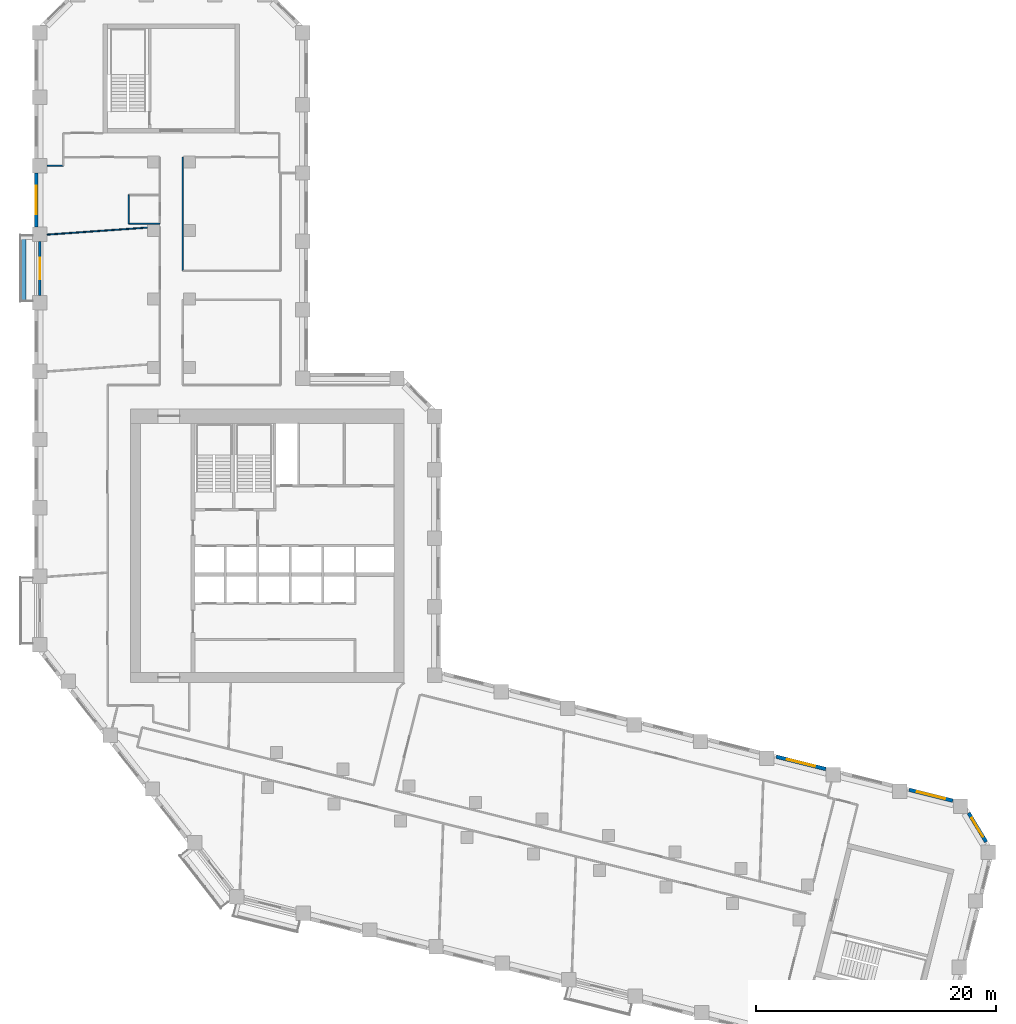
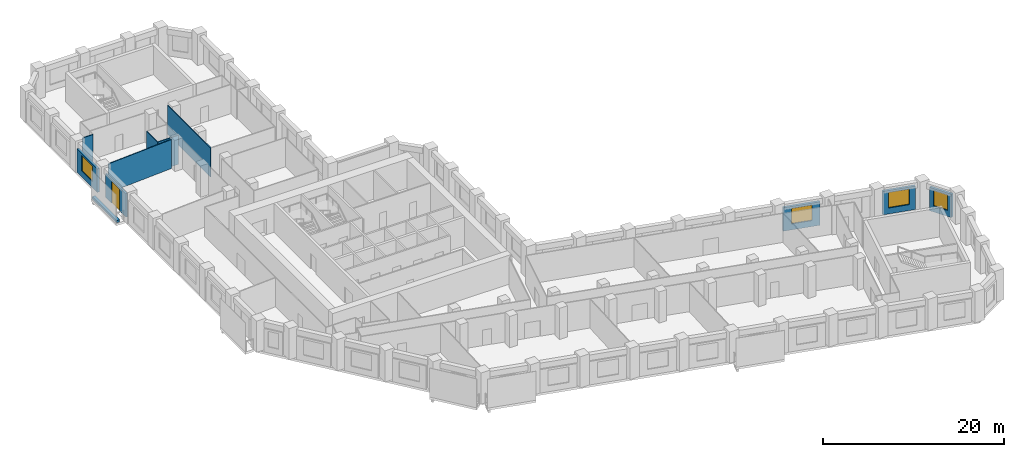
# One storey, part 7 of 10: 11 walls, 4 windows, 1 door, 5 openings.
"""IFC4 building model written with IfcOpenShell, lengths in metres."""

from ifc_helpers import new_model, si_unit, direction, frame, frame_2d, origin, place, context, subcontext, project, spatial, rectangle, extrude, material, layer, layer_set, type_object, element, fill, save


model = new_model("IFC4")

# Units and contexts
model_context = context("Model", 3, precision=1e-05, world=origin(), true_north=direction((0.0, 1.0)))
body_context = subcontext(model_context, "Body", "Model", "MODEL_VIEW")
ifc_project = project(units=[si_unit("LENGTHUNIT", "METRE"), si_unit("AREAUNIT", "SQUARE_METRE"), si_unit("VOLUMEUNIT", "CUBIC_METRE"), si_unit("PLANEANGLEUNIT", "RADIAN"), si_unit("MASSUNIT", "GRAM", prefix="KILO")], contexts=[model_context])

# Site, building, storey
site_placement = place(None, origin())
site = spatial("IfcSite", under=ifc_project, at=site_placement, CompositionType="ELEMENT")
building_placement = place(site_placement, origin())
building = spatial("IfcBuilding", under=site, at=building_placement, Name="Meshkara Civic Tower", CompositionType="ELEMENT")
storey_placement = place(building_placement, frame((0.0, 0.0, 165.60009765625)))
storey = spatial("IfcBuildingStorey", under=building, at=storey_placement, Name="L37", CompositionType="ELEMENT", Elevation=165.60009765625)

# Wall
ifc_material_1 = material(Name="Corridor wall 100")
ifc_layer_1 = layer(ifc_material_1, 0.10009765625)
ifc_layer_set_1 = layer_set([ifc_layer_1], Name="Corridor wall 100")
wall_type_1 = type_object("IfcWallType", Name="Corridor wall 100", PredefinedType="PARTITIONING", material=ifc_layer_set_1)
wall_1_placement = place(storey_placement, frame((12.35009765625, 48.39990234375, 0.0), z_axis=(0.0, 0.0, 1.0), x_axis=(0.0, 1.0, 0.0)))
element("IfcWall", 1, at=wall_1_placement, inside=storey, type_object=wall_type_1, Name="L37-W015", PredefinedType="PARTITIONING", context=body_context, shape_type="SweptSolid", body=[
    extrude(rectangle(XDim=9.47021484375, YDim=0.10009765625, at=frame_2d((4.735107421875, 0.0))), origin(), (0.0, 0.0, 1.0), 3.89990234375),
])

# Wall, opening, window
ifc_material_2 = material(Name="Insulated infill panel with bronze anodised aluminium cladding", Category="aluminium")
ifc_layer_2 = layer(ifc_material_2, 0.300048828125)
ifc_layer_set_2 = layer_set([ifc_layer_2], Name="EXTERNAL INFILL WALL 300")
wall_type_2 = type_object("IfcWallType", Name="EXTERNAL INFILL WALL 300", PredefinedType="SOLIDWALL", material=ifc_layer_set_2)
wall_2_placement = place(storey_placement, frame((76.491943359375, 4.27197265625, 0.0), z_axis=(0.0, 0.0, 1.0), x_axis=(-0.970348377394, 0.241710625521, 0.0)))
wall_2 = element("IfcWall", 2, at=wall_2_placement, inside=storey, type_object=wall_type_2, Name="External wall", PredefinedType="SOLIDWALL", context=body_context, shape_type="SweptSolid", body=[
    extrude(rectangle(XDim=3.760498046875, YDim=0.300048828125, at=frame_2d((1.88037109375, 0.0))), origin(), (0.0, 0.0, 1.0), 3.14990234375),
])
opening_1_placement = place(wall_2_placement, frame((0.679931640625, 0.0, 0.800048828125)))
opening_1 = element("IfcOpeningElement", 3, at=opening_1_placement, cuts=wall_2, Name="Opening W7", PredefinedType="OPENING", context=body_context, shape_type="SweptSolid", body=[
    extrude(rectangle(XDim=2.39990234375, YDim=2.10009765625, at=frame_2d((1.199951171875, 1.050048828125))), frame((0.0, 0.159912109375, 0.0), z_axis=(0.0, -1.0, 0.0), x_axis=(1.0, 0.0, 0.0)), (0.0, 0.0, 1.0), 0.320068359375),
])
ifc_material_3 = material(Name="Tinted double glazing", Category="glass")
window_type_1 = type_object("IfcWindowType", Name="WINDOW 2400x2100", PartitioningType="DOUBLE_PANEL_VERTICAL", PredefinedType="WINDOW", material=ifc_material_3)
window_1_placement = place(opening_1_placement, origin())
window_1 = element("IfcWindow", 4, at=window_1_placement, inside=storey, type_object=window_type_1, Name="Window", OverallHeight=2.10009765625, OverallWidth=2.39990234375, PartitioningType="DOUBLE_PANEL_VERTICAL", PredefinedType="WINDOW", context=body_context, shape_type="SweptSolid", body=[
    extrude(rectangle(XDim=2.39990234375, YDim=2.10009765625, at=frame_2d((1.199951171875, 1.050048828125))), frame((0.0, 0.030029296875, 0.0), z_axis=(0.0, -1.0, 0.0), x_axis=(1.0, 0.0, 0.0)), (0.0, 0.0, 1.0), 0.06005859375),
])
fill(opening_1, window_1)

wall_3_placement = place(storey_placement, frame((65.90087890625, 6.912109375, 0.0), z_axis=(0.0, 0.0, 1.0), x_axis=(-0.970260760633, 0.242062091986, 0.0)))
wall_3 = element("IfcWall", 5, at=wall_3_placement, inside=storey, type_object=wall_type_2, Name="External wall", PredefinedType="SOLIDWALL", context=body_context, shape_type="SweptSolid", body=[
    extrude(rectangle(XDim=4.24609375, YDim=0.300048828125, at=frame_2d((2.123046875, 0.0))), origin(), (0.0, 0.0, 1.0), 3.14990234375),
])
opening_2_placement = place(wall_3_placement, frame((0.923095703125, 0.0, 0.800048828125)))
opening_2 = element("IfcOpeningElement", 6, at=opening_2_placement, cuts=wall_3, Name="Opening W7", PredefinedType="OPENING", context=body_context, shape_type="SweptSolid", body=[
    extrude(rectangle(XDim=2.39990234375, YDim=2.10009765625, at=frame_2d((1.199951171875, 1.050048828125))), frame((0.0, 0.159912109375, 0.0), z_axis=(0.0, -1.0, 0.0), x_axis=(1.0, 0.0, 0.0)), (0.0, 0.0, 1.0), 0.320068359375),
])
window_2_placement = place(opening_2_placement, origin())
window_2 = element("IfcWindow", 7, at=window_2_placement, inside=storey, type_object=window_type_1, Name="Window", OverallHeight=2.10009765625, OverallWidth=2.39990234375, PartitioningType="DOUBLE_PANEL_VERTICAL", PredefinedType="WINDOW", context=body_context, shape_type="SweptSolid", body=[
    extrude(rectangle(XDim=2.39990234375, YDim=2.10009765625, at=frame_2d((1.199951171875, 1.050048828125))), frame((0.0, 0.030029296875, 0.0), z_axis=(0.0, -1.0, 0.0), x_axis=(1.0, 0.0, 0.0)), (0.0, 0.0, 1.0), 0.06005859375),
])
fill(opening_2, window_2)

wall_4_placement = place(storey_placement, frame((0.14990234375, 56.554931640625, 0.0), z_axis=(0.0, 0.0, 1.0), x_axis=(0.0, -1.0, 0.0)))
wall_4 = element("IfcWall", 8, at=wall_4_placement, inside=storey, type_object=wall_type_2, Name="External wall", PredefinedType="SOLIDWALL", context=body_context, shape_type="SweptSolid", body=[
    extrude(rectangle(XDim=4.5, YDim=0.300048828125, at=frame_2d((2.25, 0.0))), origin(), (0.0, 0.0, 1.0), 3.14990234375),
])
opening_3_placement = place(wall_4_placement, frame((1.050048828125, 0.0, 0.800048828125)))
opening_3 = element("IfcOpeningElement", 9, at=opening_3_placement, cuts=wall_4, Name="Opening W7", PredefinedType="OPENING", context=body_context, shape_type="SweptSolid", body=[
    extrude(rectangle(XDim=2.39990234375, YDim=2.10009765625, at=frame_2d((1.199951171875, 1.050048828125))), frame((0.0, 0.159912109375, 0.0), z_axis=(0.0, -1.0, 0.0), x_axis=(1.0, 0.0, 0.0)), (0.0, 0.0, 1.0), 0.320068359375),
])
window_3_placement = place(opening_3_placement, origin())
window_3 = element("IfcWindow", 10, at=window_3_placement, inside=storey, type_object=window_type_1, Name="Window", OverallHeight=2.10009765625, OverallWidth=2.39990234375, PartitioningType="DOUBLE_PANEL_VERTICAL", PredefinedType="WINDOW", context=body_context, shape_type="SweptSolid", body=[
    extrude(rectangle(XDim=2.39990234375, YDim=2.10009765625, at=frame_2d((1.199951171875, 1.050048828125))), frame((0.0, 0.030029296875, 0.0), z_axis=(0.0, -1.0, 0.0), x_axis=(1.0, 0.0, 0.0)), (0.0, 0.0, 1.0), 0.06005859375),
])
fill(opening_3, window_3)

wall_5_placement = place(storey_placement, frame((79.257080078125, 0.839111328125, 0.0), z_axis=(0.0, 0.0, 1.0), x_axis=(-0.514992914014, 0.857194434487, 0.0)))
wall_5 = element("IfcWall", 11, at=wall_5_placement, inside=storey, type_object=wall_type_2, Name="External wall", PredefinedType="SOLIDWALL", context=body_context, shape_type="SweptSolid", body=[
    extrude(rectangle(XDim=2.81591796875, YDim=0.300048828125, at=frame_2d((1.407958984375, 0.0))), origin(), (0.0, 0.0, 1.0), 3.14990234375),
])
opening_4_placement = place(wall_5_placement, frame((0.508056640625, 0.0, 0.800048828125)))
opening_4 = element("IfcOpeningElement", 12, at=opening_4_placement, cuts=wall_5, Name="Opening W9", PredefinedType="OPENING", context=body_context, shape_type="SweptSolid", body=[
    extrude(rectangle(XDim=1.800048828125, YDim=2.10009765625, at=frame_2d((0.89990234375, 1.050048828125))), frame((0.0, 0.159912109375, 0.0), z_axis=(0.0, -1.0, 0.0), x_axis=(1.0, 0.0, 0.0)), (0.0, 0.0, 1.0), 0.320068359375),
])
ifc_material_4 = material(Name="Tinted double glazing", Category="glass")
window_type_2 = type_object("IfcWindowType", Name="WINDOW 1800x2100", PartitioningType="DOUBLE_PANEL_VERTICAL", PredefinedType="WINDOW", material=ifc_material_4)
window_4_placement = place(opening_4_placement, origin())
window_4 = element("IfcWindow", 13, at=window_4_placement, inside=storey, type_object=window_type_2, Name="Window", OverallHeight=2.10009765625, OverallWidth=1.800048828125, PartitioningType="DOUBLE_PANEL_VERTICAL", PredefinedType="WINDOW", context=body_context, shape_type="SweptSolid", body=[
    extrude(rectangle(XDim=1.800048828125, YDim=2.10009765625, at=frame_2d((0.89990234375, 1.050048828125))), frame((0.0, 0.030029296875, 0.0), z_axis=(0.0, -1.0, 0.0), x_axis=(1.0, 0.0, 0.0)), (0.0, 0.0, 1.0), 0.06005859375),
])
fill(opening_4, window_4)

# Wall, opening, door
ifc_material_5 = material(Name="Insulated infill panel with bronze anodised aluminium cladding", Category="aluminium")
ifc_layer_3 = layer(ifc_material_5, 0.199951171875)
ifc_layer_set_3 = layer_set([ifc_layer_3], Name="LOGGIA BACK WALL 200")
wall_type_3 = type_object("IfcWallType", Name="LOGGIA BACK WALL 200", PredefinedType="SOLIDWALL", material=ifc_layer_set_3)
wall_6_placement = place(storey_placement, frame((0.449951171875, 50.85498046875, 0.0), z_axis=(0.0, 0.0, 1.0), x_axis=(0.0, -1.0, 0.0)))
wall_6 = element("IfcWall", 14, at=wall_6_placement, inside=storey, type_object=wall_type_3, Name="Loggia wall", PredefinedType="SOLIDWALL", context=body_context, shape_type="SweptSolid", body=[
    extrude(rectangle(XDim=4.4990234375, YDim=0.199951171875, at=frame_2d((2.24951171875, 0.0))), origin(), (0.0, 0.0, 1.0), 3.14990234375),
])
opening_5_placement = place(wall_6_placement, frame((1.34912109375, 0.0, 0.0)))
opening_5 = element("IfcOpeningElement", 15, at=opening_5_placement, cuts=wall_6, Name="Opening L37-L001", PredefinedType="OPENING", context=body_context, shape_type="SweptSolid", body=[
    extrude(rectangle(XDim=1.800048828125, YDim=2.89990234375, at=frame_2d((0.89990234375, 1.449951171875))), frame((0.0, 0.10986328125, 0.0), z_axis=(0.0, -1.0, 0.0), x_axis=(1.0, 0.0, 0.0)), (0.0, 0.0, 1.0), 0.219970703125),
])
ifc_material_6 = material(Name="Tinted double glazing", Category="glass")
door_type = type_object("IfcDoorType", Name="LOGGIA DOOR 1800x2900", OperationType="DOUBLE_DOOR_SINGLE_SWING", PredefinedType="DOOR", material=ifc_material_6)
door_placement = place(opening_5_placement, origin())
door = element("IfcDoor", 16, at=door_placement, inside=storey, type_object=door_type, Name="L37-L001", OperationType="DOUBLE_DOOR_SINGLE_SWING", OverallHeight=2.89990234375, OverallWidth=1.800048828125, PredefinedType="DOOR", context=body_context, shape_type="SweptSolid", body=[
    extrude(rectangle(XDim=1.800048828125, YDim=2.89990234375, at=frame_2d((0.89990234375, 1.449951171875))), frame((0.0, 0.02490234375, 0.0), z_axis=(0.0, -1.0, 0.0), x_axis=(1.0, 0.0, 0.0)), (0.0, 0.0, 1.0), 0.050048828125),
])
fill(opening_5, door)

# Walls
ifc_material_7 = material(Name="Concrete C40", Category="concrete")
ifc_layer_4 = layer(ifc_material_7, 0.39990234375)
ifc_layer_set_4 = layer_set([ifc_layer_4], Name="PLANTER TRAY")
wall_type_4 = type_object("IfcWallType", Name="PLANTER TRAY", PredefinedType="SOLIDWALL", material=ifc_layer_set_4)
wall_7_placement = place(storey_placement, frame((-0.8798828125, 51.284912109375, 0.0), z_axis=(0.0, 0.0, 1.0), x_axis=(0.0, -1.0, 0.0)))
element("IfcWall", 17, at=wall_7_placement, inside=storey, type_object=wall_type_4, Name="Planter", PredefinedType="SOLIDWALL", context=body_context, shape_type="SweptSolid", body=[
    extrude(rectangle(XDim=5.35986328125, YDim=0.39990234375, at=frame_2d((2.679931640625, 0.0))), origin(), (0.0, 0.0, 1.0), 0.2998046875),
])
ifc_material_8 = material(Name="Partition 100")
ifc_layer_5 = layer(ifc_material_8, 0.10009765625)
ifc_layer_set_5 = layer_set([ifc_layer_5], Name="Partition 100")
wall_type_5 = type_object("IfcWallType", Name="Partition 100", PredefinedType="PARTITIONING", material=ifc_layer_set_5)
wall_8_placement = place(storey_placement, frame((2.39990234375, 57.155029296875, 0.0), z_axis=(0.0, 0.0, 1.0), x_axis=(-1.0, 0.0, 0.0)))
element("IfcWall", 18, at=wall_8_placement, inside=storey, type_object=wall_type_5, Name="L37-W039", PredefinedType="PARTITIONING", context=body_context, shape_type="SweptSolid", body=[
    extrude(rectangle(XDim=1.349853515625, YDim=0.10009765625, at=frame_2d((0.6748046875, 0.0))), origin(), (0.0, 0.0, 1.0), 3.89990234375),
])
wall_9_placement = place(storey_placement, frame((7.85009765625, 52.320068359375, 0.0), z_axis=(0.0, 0.0, 1.0), x_axis=(0.0, 1.0, 0.0)))
element("IfcWall", 19, at=wall_9_placement, inside=storey, type_object=wall_type_5, Name="L37-W043", PredefinedType="PARTITIONING", context=body_context, shape_type="SweptSolid", body=[
    extrude(rectangle(XDim=2.39990234375, YDim=0.10009765625, at=frame_2d((1.199951171875, 0.0))), origin(), (0.0, 0.0, 1.0), 3.89990234375),
])
wall_10_placement = place(storey_placement, frame((9.39990234375, 52.0009765625, 0.0), z_axis=(0.0, 0.0, 1.0), x_axis=(-0.997555044264, -0.069885146225, 0.0)))
element("IfcWall", 20, at=wall_10_placement, inside=storey, type_object=wall_type_5, Name="L37-W047", PredefinedType="PARTITIONING", context=body_context, shape_type="SweptSolid", body=[
    extrude(rectangle(XDim=8.370361328125, YDim=0.10009765625, at=frame_2d((4.18505859375, 0.0))), origin(), (0.0, 0.0, 1.0), 3.89990234375),
])
wall_11_placement = place(storey_placement, frame((10.449951171875, 52.320068359375, 0.0), z_axis=(0.0, 0.0, 1.0), x_axis=(-1.0, 0.0, 0.0)))
element("IfcWall", 21, at=wall_11_placement, inside=storey, type_object=wall_type_5, Name="L37-W048", PredefinedType="PARTITIONING", context=body_context, shape_type="SweptSolid", body=[
    extrude(rectangle(XDim=2.599853515625, YDim=0.10009765625, at=frame_2d((1.2998046875, 0.0))), origin(), (0.0, 0.0, 1.0), 3.89990234375),
])

save(model, "model.ifc")
